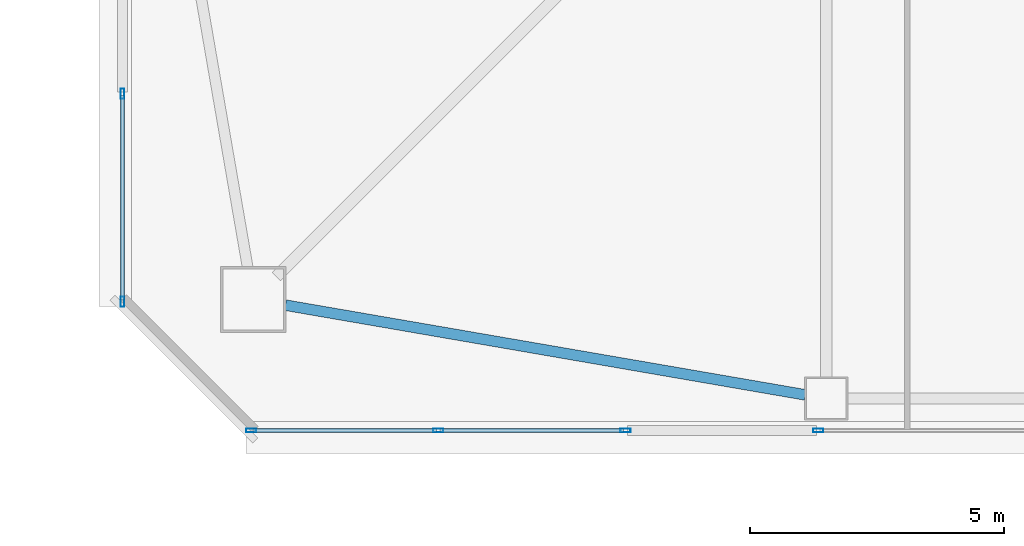
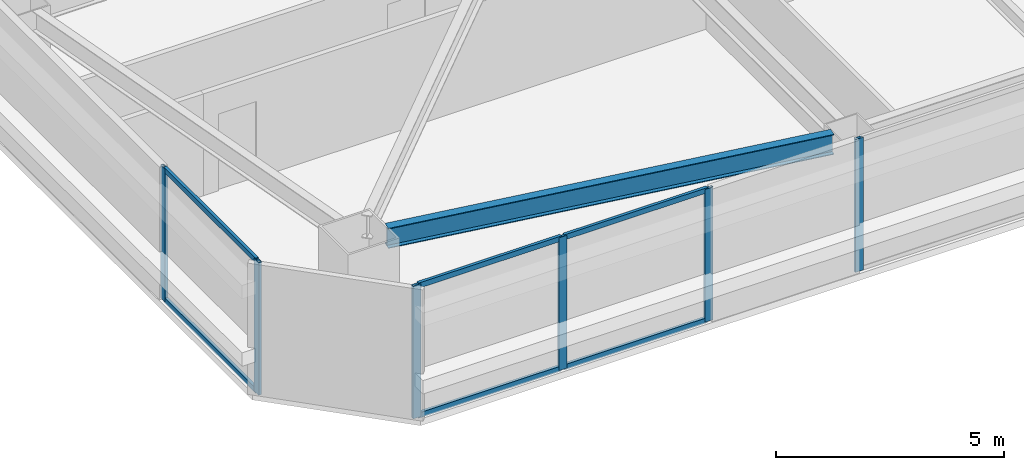
# One storey, part 3 of 46: 12 members, 1 beam, 3 elements without a shape of their own.
"""IFC4 building model written with IfcOpenShell, lengths in metres."""

from ifc_helpers import new_model, si_unit, direction, frame, origin, origin_2d, place, context, subcontext, project, spatial, hollow_rectangle, i_section, extrude, material, material_profile, profile_set, type_object, element, aggregate, save


model = new_model("IFC4")

# Units and contexts
model_context = context("Model", 3, precision=1e-05, world=origin(), true_north=direction((0.0, 1.0)))
body_context = subcontext(model_context, "Body", "Model", "MODEL_VIEW")
ifc_project = project(units=[si_unit("LENGTHUNIT", "METRE"), si_unit("AREAUNIT", "SQUARE_METRE"), si_unit("VOLUMEUNIT", "CUBIC_METRE"), si_unit("PLANEANGLEUNIT", "RADIAN"), si_unit("MASSUNIT", "GRAM", prefix="KILO")], contexts=[model_context])

# Site, building, storey
site_placement = place(None, origin())
site = spatial("IfcSite", under=ifc_project, at=site_placement, CompositionType="ELEMENT")
building_placement = place(site_placement, origin())
building = spatial("IfcBuilding", under=site, at=building_placement, Name="Tashvorn Skyway Center", CompositionType="ELEMENT")
storey_placement = place(building_placement, frame((0.0, 0.0, 132.14990234375)))
storey = spatial("IfcBuildingStorey", under=building, at=storey_placement, Name="L35", CompositionType="ELEMENT", Elevation=132.14990234375)

# Beam
ifc_material_1 = material(Name="Steel ASTM A992 Grade 50", Category="steel")
ifc_material_profile_1 = material_profile(ifc_material_1, i_section(OverallWidth=0.2109375, OverallDepth=0.5390625, WebThickness=0.01171875, FlangeThickness=0.018798828125, at=origin_2d()), Name="W21X73")
ifc_profile_set_1 = profile_set([ifc_material_profile_1], Name="Steel ASTM A992 Grade 50")
beam_type = type_object("IfcBeamType", Name="BM-SPANDREL-W21X73", PredefinedType="SPANDREL", material=ifc_profile_set_1)
beam_placement = place(storey_placement, frame((25.935546875, 15.1904296875, 3.1005859375), z_axis=(0.985432458462, -0.170067250846, 0.0), x_axis=(0.170067250846, 0.985432458462, 0.0)))
element("IfcBeam", 1, at=beam_placement, inside=storey, type_object=beam_type, Name="Tower 1 L35 Spandrel Beam 01", PredefinedType="SPANDREL", context=body_context, shape_type="SweptSolid", body=[
    extrude(i_section(OverallWidth=0.2109375, OverallDepth=0.5390625, WebThickness=0.01171875, FlangeThickness=0.018798828125, at=origin_2d()), origin(), (0.0, 0.0, 1.0), 10.402099609375),
])

# Curtain wall, member
ifc_material_2 = material(Name="Thermally broken bronze-anodized aluminium 6063-T6", Category="aluminium")
curtain_wall_type = type_object("IfcCurtainWallType", Name="CW-CW-Z3", PredefinedType="NOTDEFINED", material=ifc_material_2)
curtain_wall_1_placement = place(storey_placement, origin())
curtain_wall_1 = element("IfcCurtainWall", 2, at=curtain_wall_1_placement, inside=storey, type_object=curtain_wall_type, Name="Tower 1 L35 South Unitised Curtain Wall Glazing Group 2", PredefinedType="NOTDEFINED")
ifc_material_profile_2 = material_profile(ifc_material_2, hollow_rectangle(XDim=0.074951171875, YDim=0.199951171875, WallThickness=0.00439453125, at=origin_2d()), Name="ALU-MULL-75x200")
ifc_profile_set_2 = profile_set([ifc_material_profile_2], Name="Thermally broken bronze-anodized aluminium 6063-T6")
member_type_1 = type_object("IfcMemberType", Name="CWM-CW-Z3", PredefinedType="MULLION", material=ifc_profile_set_2)
member_1_placement = place(storey_placement, frame((36.444091796875, 12.719970703125, 0.0), z_axis=(0.0, 0.0, 1.0), x_axis=(0.0, -1.0, 0.0)))
member_1 = element("IfcMember", 3, at=member_1_placement, type_object=member_type_1, Name="CW-Z3 mullion 2", PredefinedType="MULLION", context=body_context, shape_type="SweptSolid", body=[
    extrude(hollow_rectangle(XDim=0.074951171875, YDim=0.199951171875, WallThickness=0.00439453125, at=origin_2d()), origin(), (0.0, 0.0, 1.0), 3.550048828125),
])
aggregate(curtain_wall_1, [member_1])

# Curtain wall, members
curtain_wall_2_placement = place(storey_placement, origin())
curtain_wall_2 = element("IfcCurtainWall", 4, at=curtain_wall_2_placement, inside=storey, type_object=curtain_wall_type, Name="Tower 1 L35 South Unitised Curtain Wall Glazing Group 3", PredefinedType="NOTDEFINED")
member_2_placement = place(storey_placement, frame((32.640380859375, 12.719970703125, 0.0), z_axis=(0.0, 0.0, 1.0), x_axis=(0.0, -1.0, 0.0)))
member_2 = element("IfcMember", 5, at=member_2_placement, type_object=member_type_1, Name="CW-Z3 mullion 1", PredefinedType="MULLION", context=body_context, shape_type="SweptSolid", body=[
    extrude(hollow_rectangle(XDim=0.074951171875, YDim=0.199951171875, WallThickness=0.00439453125, at=origin_2d()), origin(), (0.0, 0.0, 1.0), 3.550048828125),
])
member_3_placement = place(storey_placement, frame((28.948974609375, 12.719970703125, 0.0), z_axis=(0.0, 0.0, 1.0), x_axis=(0.0, -1.0, 0.0)))
member_3 = element("IfcMember", 6, at=member_3_placement, type_object=member_type_1, Name="CW-Z3 mullion 2", PredefinedType="MULLION", context=body_context, shape_type="SweptSolid", body=[
    extrude(hollow_rectangle(XDim=0.074951171875, YDim=0.199951171875, WallThickness=0.00439453125, at=origin_2d()), origin(), (0.0, 0.0, 1.0), 3.550048828125),
])
member_4_placement = place(storey_placement, frame((25.257568359375, 12.719970703125, 0.0), z_axis=(0.0, 0.0, 1.0), x_axis=(0.0, -1.0, 0.0)))
member_4 = element("IfcMember", 7, at=member_4_placement, type_object=member_type_1, Name="CW-Z3 mullion 3", PredefinedType="MULLION", context=body_context, shape_type="SweptSolid", body=[
    extrude(hollow_rectangle(XDim=0.074951171875, YDim=0.199951171875, WallThickness=0.00439453125, at=origin_2d()), origin(), (0.0, 0.0, 1.0), 3.550048828125),
])

curtain_wall_3_placement = place(storey_placement, origin())
curtain_wall_3 = element("IfcCurtainWall", 8, at=curtain_wall_3_placement, inside=storey, type_object=curtain_wall_type, Name="Tower 1 L35 West Curtain Wall L Glazing Group 1", PredefinedType="NOTDEFINED")
member_5_placement = place(storey_placement, frame((22.719970703125, 15.257568359375, 0.0), z_axis=(0.0, 0.0, 1.0), x_axis=(-1.0, 0.0, 0.0)))
member_5 = element("IfcMember", 9, at=member_5_placement, type_object=member_type_1, Name="CW-Z3 mullion 1", PredefinedType="MULLION", context=body_context, shape_type="SweptSolid", body=[
    extrude(hollow_rectangle(XDim=0.074951171875, YDim=0.199951171875, WallThickness=0.00439453125, at=origin_2d()), origin(), (0.0, 0.0, 1.0), 3.550048828125),
])
member_6_placement = place(storey_placement, frame((22.719970703125, 19.359130859375, 0.0), z_axis=(0.0, 0.0, 1.0), x_axis=(-1.0, 0.0, 0.0)))
member_6 = element("IfcMember", 10, at=member_6_placement, type_object=member_type_1, Name="CW-Z3 mullion 2", PredefinedType="MULLION", context=body_context, shape_type="SweptSolid", body=[
    extrude(hollow_rectangle(XDim=0.074951171875, YDim=0.199951171875, WallThickness=0.00439453125, at=origin_2d()), origin(), (0.0, 0.0, 1.0), 3.550048828125),
])

# Member
ifc_material_profile_3 = material_profile(ifc_material_2, hollow_rectangle(XDim=0.074951171875, YDim=0.139892578125, WallThickness=0.004150390625, at=origin_2d()), Name="ALU-TRAN-75x140")
ifc_profile_set_3 = profile_set([ifc_material_profile_3], Name="Thermally broken bronze-anodized aluminium 6063-T6")
member_type_2 = type_object("IfcMemberType", Name="CWT-CW-Z3", PredefinedType="USERDEFINED", material=ifc_profile_set_3)
member_7_placement = place(storey_placement, frame((32.602783203125, 12.719970703125, 0.03759765625), z_axis=(-1.0, 0.0, 0.0), x_axis=(0.0, -1.0, 0.0)))
member_7 = element("IfcMember", 11, at=member_7_placement, type_object=member_type_2, Name="CW-Z3 transom 1.1", ObjectType="TRANSOM", PredefinedType="USERDEFINED", context=body_context, shape_type="SweptSolid", body=[
    extrude(hollow_rectangle(XDim=0.074951171875, YDim=0.139892578125, WallThickness=0.004150390625, at=origin_2d()), origin(), (0.0, 0.0, 1.0), 3.616455078125),
])

member_8_placement = place(storey_placement, frame((32.602783203125, 12.719970703125, 3.5126953125), z_axis=(-1.0, 0.0, 0.0), x_axis=(0.0, -1.0, 0.0)))
member_8 = element("IfcMember", 12, at=member_8_placement, type_object=member_type_2, Name="CW-Z3 transom 1.2", ObjectType="TRANSOM", PredefinedType="USERDEFINED", context=body_context, shape_type="SweptSolid", body=[
    extrude(hollow_rectangle(XDim=0.074951171875, YDim=0.139892578125, WallThickness=0.004150390625, at=origin_2d()), origin(), (0.0, 0.0, 1.0), 3.616455078125),
])

member_9_placement = place(storey_placement, frame((28.911376953125, 12.719970703125, 0.03759765625), z_axis=(-1.0, 0.0, 0.0), x_axis=(0.0, -1.0, 0.0)))
member_9 = element("IfcMember", 13, at=member_9_placement, type_object=member_type_2, Name="CW-Z3 transom 2.1", ObjectType="TRANSOM", PredefinedType="USERDEFINED", context=body_context, shape_type="SweptSolid", body=[
    extrude(hollow_rectangle(XDim=0.074951171875, YDim=0.139892578125, WallThickness=0.004150390625, at=origin_2d()), origin(), (0.0, 0.0, 1.0), 3.616455078125),
])

member_10_placement = place(storey_placement, frame((28.911376953125, 12.719970703125, 3.5126953125), z_axis=(-1.0, 0.0, 0.0), x_axis=(0.0, -1.0, 0.0)))
member_10 = element("IfcMember", 14, at=member_10_placement, type_object=member_type_2, Name="CW-Z3 transom 2.2", ObjectType="TRANSOM", PredefinedType="USERDEFINED", context=body_context, shape_type="SweptSolid", body=[
    extrude(hollow_rectangle(XDim=0.074951171875, YDim=0.139892578125, WallThickness=0.004150390625, at=origin_2d()), origin(), (0.0, 0.0, 1.0), 3.616455078125),
])

aggregate(curtain_wall_2, [member_2, member_3, member_4, member_7, member_8, member_9, member_10])

member_11_placement = place(storey_placement, frame((22.719970703125, 15.294921875, 0.03759765625), z_axis=(0.0, 1.0, 0.0), x_axis=(-1.0, 0.0, 0.0)))
member_11 = element("IfcMember", 15, at=member_11_placement, type_object=member_type_2, Name="CW-Z3 transom 1.1", ObjectType="TRANSOM", PredefinedType="USERDEFINED", context=body_context, shape_type="SweptSolid", body=[
    extrude(hollow_rectangle(XDim=0.074951171875, YDim=0.139892578125, WallThickness=0.004150390625, at=origin_2d()), origin(), (0.0, 0.0, 1.0), 4.02685546875),
])

member_12_placement = place(storey_placement, frame((22.719970703125, 15.294921875, 3.5126953125), z_axis=(0.0, 1.0, 0.0), x_axis=(-1.0, 0.0, 0.0)))
member_12 = element("IfcMember", 16, at=member_12_placement, type_object=member_type_2, Name="CW-Z3 transom 1.2", ObjectType="TRANSOM", PredefinedType="USERDEFINED", context=body_context, shape_type="SweptSolid", body=[
    extrude(hollow_rectangle(XDim=0.074951171875, YDim=0.139892578125, WallThickness=0.004150390625, at=origin_2d()), origin(), (0.0, 0.0, 1.0), 4.02685546875),
])

aggregate(curtain_wall_3, [member_5, member_6, member_11, member_12])

save(model, "model.ifc")
